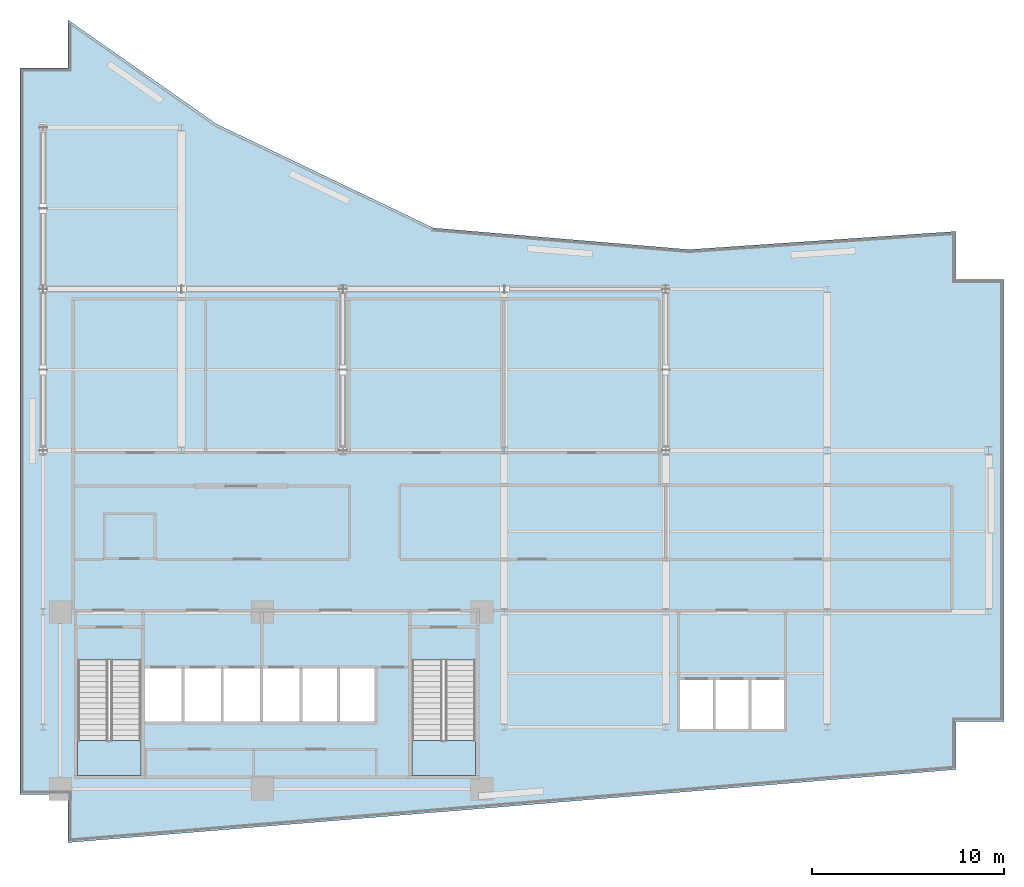
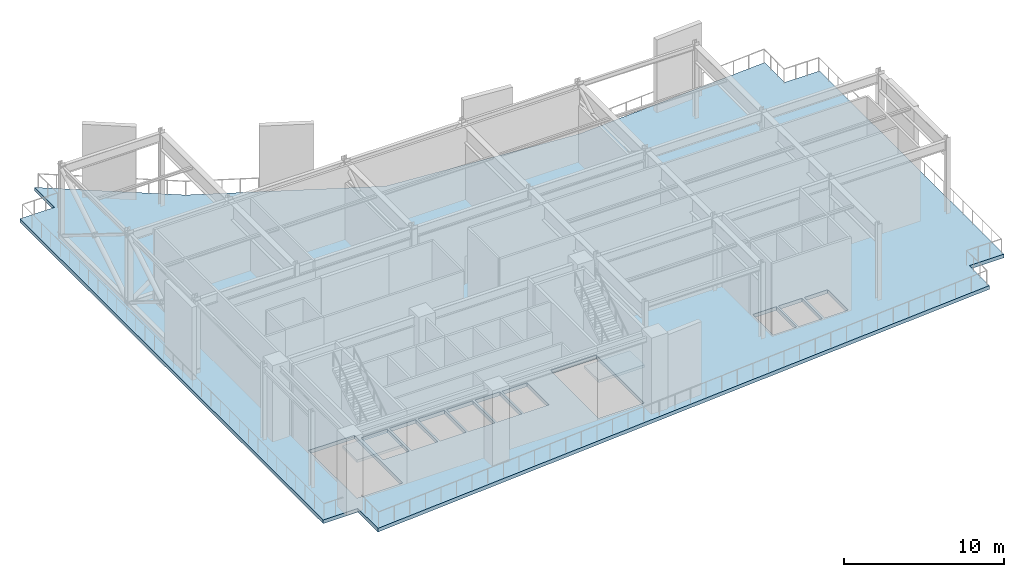
# One storey, part 5 of 13: 3 slabs, 2 elements without a shape of their own.
"""IFC4 building model written with IfcOpenShell, lengths in metres."""

from ifc_helpers import new_model, si_unit, direction, frame, origin, place, context, subcontext, project, spatial, polyline, outline, extrude, material, layer, layer_set, type_object, element, aggregate, save


model = new_model("IFC4")

# Units and contexts
model_context = context("Model", 3, precision=1e-05, world=origin(), true_north=direction((0.0, 1.0)))
body_context = subcontext(model_context, "Body", "Model", "MODEL_VIEW")
ifc_project = project(units=[si_unit("LENGTHUNIT", "METRE"), si_unit("AREAUNIT", "SQUARE_METRE"), si_unit("VOLUMEUNIT", "CUBIC_METRE"), si_unit("PLANEANGLEUNIT", "RADIAN"), si_unit("MASSUNIT", "GRAM", prefix="KILO")], contexts=[model_context])

# Site, building, storey
site_placement = place(None, origin())
site = spatial("IfcSite", under=ifc_project, at=site_placement, CompositionType="ELEMENT")
building_placement = place(site_placement, origin())
building = spatial("IfcBuilding", under=site, at=building_placement, Name="Varnakote Quay Hospital", CompositionType="ELEMENT")
storey_placement = place(building_placement, frame((0.0, 0.0, 174.449951171875)))
storey = spatial("IfcBuildingStorey", under=building, at=storey_placement, Name="L43", CompositionType="ELEMENT", Elevation=174.449951171875)

# Slab
ifc_material_1 = material(Name="Concrete N50 (f'c 50 MPa)", Category="concrete")
ifc_layer_1 = layer(ifc_material_1, 0.280029296875)
ifc_layer_set_1 = layer_set([ifc_layer_1], Name="Concrete N50 (f'c 50 MPa)")
slab_type_1 = type_object("IfcSlabType", Name="SLB-PLANT-280", PredefinedType="FLOOR", material=ifc_layer_set_1)
slab_1_placement = place(storey_placement, frame((0.0, 0.0, -0.280029296875)))
element("IfcSlab", 1, at=slab_1_placement, inside=storey, type_object=slab_type_1, Name="L43 Primary Floor Slab", PredefinedType="FLOOR", context=body_context, shape_type="SweptSolid", body=[
    extrude(outline(polyline([(0.0, 2.5), (2.5, 2.5), (2.5, 0.0), (48.699951171875, 3.800048828125), (48.699951171875, 6.300048828125), (51.199951171875, 6.300048828125), (51.199951171875, 29.300048828125), (48.699951171875, 29.300048828125), (48.699951171875, 31.800048828125), (34.81591796875, 30.85595703125), (21.50390625, 31.97998046875), (10.239990234375, 37.3759765625), (2.5, 42.800048828125), (2.5, 40.300048828125), (0.0, 40.300048828125), (0.0, 2.5)]), holes=[polyline([(3.0, 3.5), (6.300048828125, 3.5), (6.300048828125, 9.49951171875), (3.0, 9.49951171875), (3.0, 3.5)]), polyline([(20.39990234375, 3.5), (23.699951171875, 3.5), (23.699951171875, 9.49951171875), (20.39990234375, 9.49951171875), (20.39990234375, 3.5)]), polyline([(6.5, 6.300048828125), (8.39990234375, 6.300048828125), (8.39990234375, 9.050048828125), (6.5, 9.050048828125), (6.5, 6.300048828125)]), polyline([(8.550048828125, 6.300048828125), (10.449951171875, 6.300048828125), (10.449951171875, 9.050048828125), (8.550048828125, 9.050048828125), (8.550048828125, 6.300048828125)]), polyline([(10.60009765625, 6.300048828125), (12.5, 6.300048828125), (12.5, 9.050048828125), (10.60009765625, 9.050048828125), (10.60009765625, 6.300048828125)]), polyline([(12.64990234375, 6.300048828125), (14.550048828125, 6.300048828125), (14.550048828125, 9.050048828125), (12.64990234375, 9.050048828125), (12.64990234375, 6.300048828125)]), polyline([(14.699951171875, 6.300048828125), (16.5, 6.300048828125), (16.5, 9.050048828125), (14.699951171875, 9.050048828125), (14.699951171875, 6.300048828125)]), polyline([(16.64990234375, 6.300048828125), (18.449951171875, 6.300048828125), (18.449951171875, 9.050048828125), (16.64990234375, 9.050048828125), (16.64990234375, 6.300048828125)]), polyline([(34.35009765625, 5.89990234375), (36.050048828125, 5.89990234375), (36.050048828125, 8.449951171875), (34.35009765625, 8.449951171875), (34.35009765625, 5.89990234375)]), polyline([(36.199951171875, 5.89990234375), (37.89990234375, 5.89990234375), (37.89990234375, 8.449951171875), (36.199951171875, 8.449951171875), (36.199951171875, 5.89990234375)]), polyline([(38.050048828125, 5.89990234375), (39.75, 5.89990234375), (39.75, 8.449951171875), (38.050048828125, 8.449951171875), (38.050048828125, 5.89990234375)])]), origin(), (0.0, 0.0, 1.0), 0.280029296875),
])

# Stair, slab
ifc_material_2 = material(Name="Concrete N40 (f'c 40 MPa)", Category="concrete")
stair_type = type_object("IfcStairType", Name="STR-CORE-1580", PredefinedType="HALF_TURN_STAIR", material=ifc_material_2)
stair_1_placement = place(storey_placement, origin())
stair_1 = element("IfcStair", 2, at=stair_1_placement, inside=storey, type_object=stair_type, Name="L43 Fire-Isolated Exit Stair ST-01", PredefinedType="HALF_TURN_STAIR")
ifc_material_3 = material(Name="Concrete N40 (f'c 40 MPa)", Category="concrete")
ifc_layer_2 = layer(ifc_material_3, 0.199951171875)
ifc_layer_set_2 = layer_set([ifc_layer_2], Name="Concrete N40 (f'c 40 MPa)")
slab_type_2 = type_object("IfcSlabType", Name="SLB-STAIR-LND-200", PredefinedType="LANDING", material=ifc_layer_set_2)
slab_2_placement = place(storey_placement, frame((0.0, 0.0, 2.699951171875)))
slab_2 = element("IfcSlab", 3, at=slab_2_placement, type_object=slab_type_2, Name="ST-01 landing 1", PredefinedType="LANDING", context=body_context, shape_type="SweptSolid", body=[
    extrude(outline(polyline([(3.0, 5.300048828125), (3.0, 3.5), (6.300048828125, 3.5), (6.300048828125, 5.300048828125), (3.0, 5.300048828125)])), origin(), (0.0, 0.0, 1.0), 0.2001953125),
])
aggregate(stair_1, [slab_2])

stair_2_placement = place(storey_placement, origin())
stair_2 = element("IfcStair", 4, at=stair_2_placement, inside=storey, type_object=stair_type, Name="L43 Fire-Isolated Exit Stair ST-02", PredefinedType="HALF_TURN_STAIR")
slab_3_placement = place(storey_placement, frame((0.0, 0.0, 2.699951171875)))
slab_3 = element("IfcSlab", 5, at=slab_3_placement, type_object=slab_type_2, Name="ST-02 landing 1", PredefinedType="LANDING", context=body_context, shape_type="SweptSolid", body=[
    extrude(outline(polyline([(20.39990234375, 5.300048828125), (20.39990234375, 3.5), (23.699951171875, 3.5), (23.699951171875, 5.300048828125), (20.39990234375, 5.300048828125)])), origin(), (0.0, 0.0, 1.0), 0.2001953125),
])
aggregate(stair_2, [slab_3])

save(model, "model.ifc")
